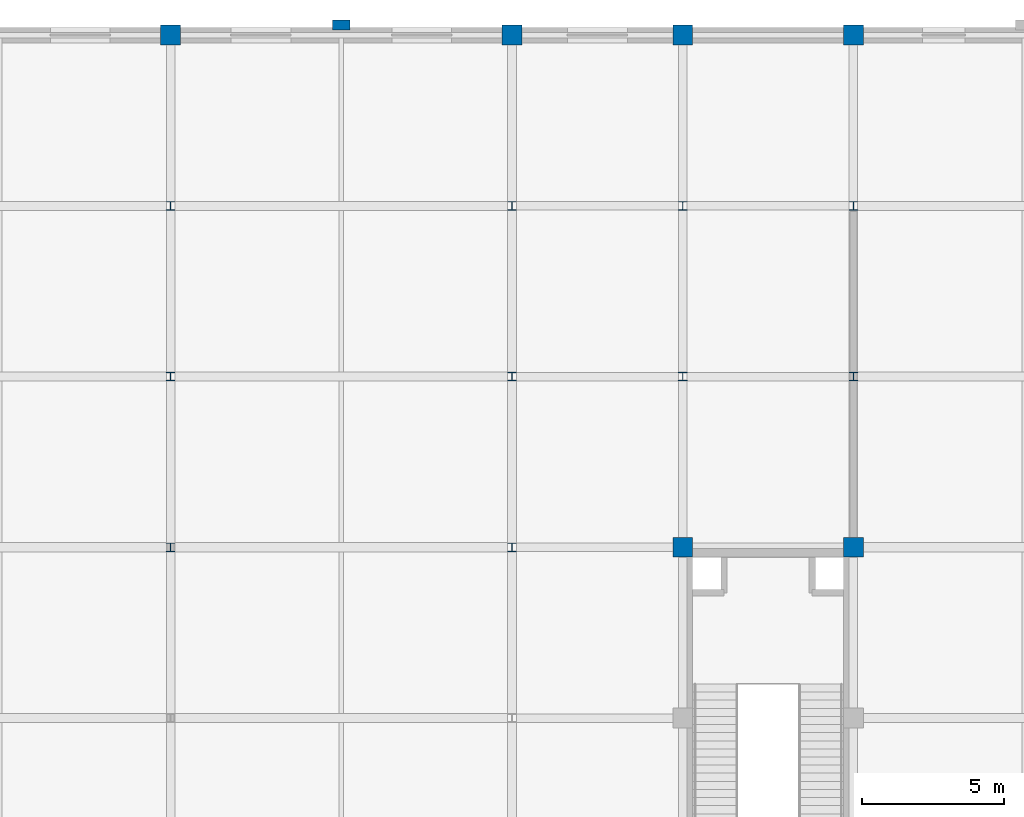
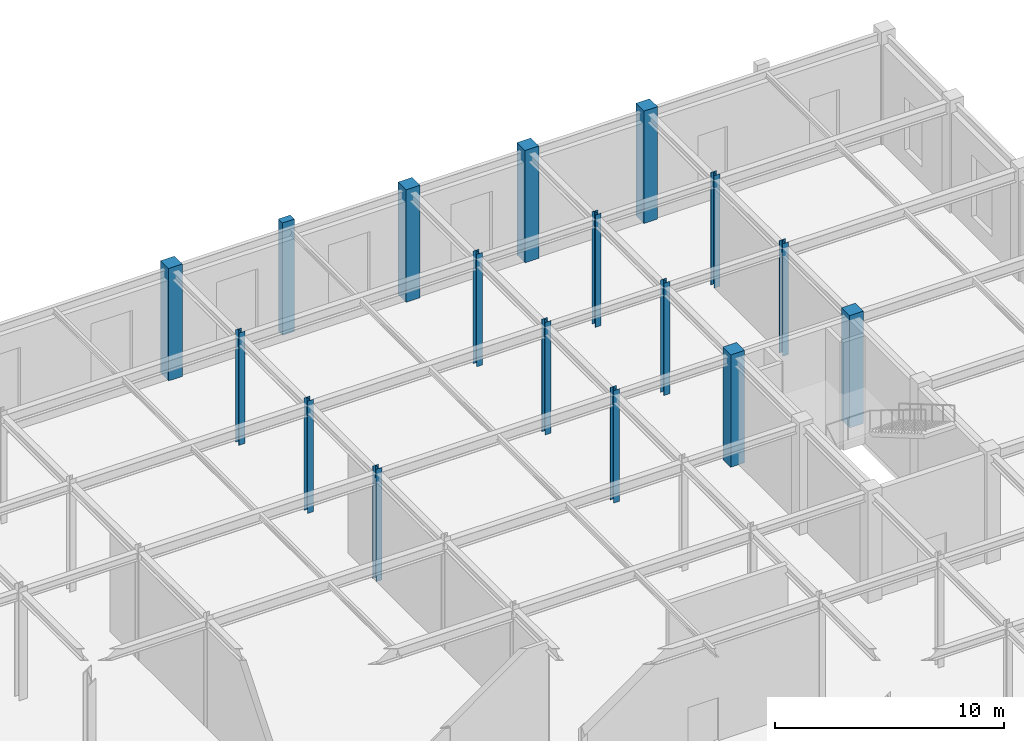
# One storey, part 26 of 108: 17 columns.
"""IFC4 building model written with IfcOpenShell, lengths in metres."""

from ifc_helpers import new_model, si_unit, direction, frame, origin, origin_2d, place, context, subcontext, project, spatial, rectangle, i_section, extrude, material, material_profile, profile_set, type_object, element, save


model = new_model("IFC4")

# Units and contexts
model_context = context("Model", 3, precision=1e-05, world=origin(), true_north=direction((0.0, 1.0)))
body_context = subcontext(model_context, "Body", "Model", "MODEL_VIEW")
ifc_project = project(units=[si_unit("LENGTHUNIT", "METRE"), si_unit("AREAUNIT", "SQUARE_METRE"), si_unit("VOLUMEUNIT", "CUBIC_METRE"), si_unit("PLANEANGLEUNIT", "RADIAN"), si_unit("MASSUNIT", "GRAM", prefix="KILO")], contexts=[model_context])

# Site, building, storey
site_placement = place(None, origin())
site = spatial("IfcSite", under=ifc_project, at=site_placement, CompositionType="ELEMENT")
building_placement = place(site_placement, origin())
building = spatial("IfcBuilding", under=site, at=building_placement, Name="Zlatovratsky Civic Hall", CompositionType="ELEMENT")
storey_placement = place(building_placement, frame((0.0, 0.0, 6.0)))
storey = spatial("IfcBuildingStorey", under=building, at=storey_placement, Name="L02", CompositionType="ELEMENT", Elevation=6.0)

# Columns
ifc_material_1 = material(Name="Concrete C35/45 (B40)", Category="concrete")
ifc_material_profile_1 = material_profile(ifc_material_1, rectangle(XDim=0.699951171875, YDim=0.699951171875, at=origin_2d()), Name="RC 700x700")
ifc_profile_set_1 = profile_set([ifc_material_profile_1], Name="Concrete C35/45 (B40)")
column_type_1 = type_object("IfcColumnType", Name="Col_CorePier_RC700", PredefinedType="COLUMN", material=ifc_profile_set_1)
for number, where, z_axis, x_axis, name in (
    (1, (150.0, 96.0, 0.0), (0.0, 0.0, 1.0), (1.0, 0.0, 0.0), "CL-1117"),
    (2, (156.0, 96.0, 0.0), (0.0, 0.0, 1.0), (1.0, 0.0, 0.0), "CL-1118"),
    (3, (132.0, 114.0, 0.0), (0.0, 0.0, 1.0), (1.0, 0.0, 0.0), "CL-1184"),
    (4, (144.0, 114.0, 0.0), (0.0, 0.0, 1.0), (1.0, 0.0, 0.0), "CL-1185"),
    (5, (150.0, 114.0, 0.0), (0.0, 0.0, 1.0), (1.0, 0.0, 0.0), "CL-1186"),
    (6, (156.0, 114.0, 0.0), (0.0, 0.0, 1.0), (1.0, 0.0, 0.0), "CL-1187"),
):
    element("IfcColumn", number, at=place(storey_placement, frame(where, z_axis=z_axis, x_axis=x_axis)), inside=storey, type_object=column_type_1, Name=name, PredefinedType="COLUMN", context=body_context, shape_type="SweptSolid", body=[
        extrude(rectangle(XDim=0.699951171875, YDim=0.699951171875, at=origin_2d()), origin(), (0.0, 0.0, 1.0), 6.0),
    ])
ifc_material_2 = material(Name="Steel S355", Category="steel")
ifc_material_profile_2 = material_profile(ifc_material_2, i_section(OverallWidth=0.300048828125, OverallDepth=0.300048828125, WebThickness=0.010009765625, FlangeThickness=0.014892578125, FilletRadius=0.01806640625, at=origin_2d()), Name="30K2")
ifc_profile_set_2 = profile_set([ifc_material_profile_2], Name="Steel S355")
column_type_2 = type_object("IfcColumnType", Name="Col_Steel_30K2", PredefinedType="COLUMN", material=ifc_profile_set_2)
for number, where, z_axis, x_axis, name in (
    (7, (132.0, 96.0, 0.0), (0.0, 0.0, 1.0), (1.0, 0.0, 0.0), "CL-1115"),
    (8, (144.0, 96.0, 0.0), (0.0, 0.0, 1.0), (1.0, 0.0, 0.0), "CL-1116"),
    (9, (132.0, 102.0, 0.0), (0.0, 0.0, 1.0), (1.0, 0.0, 0.0), "CL-1138"),
    (10, (144.0, 102.0, 0.0), (0.0, 0.0, 1.0), (1.0, 0.0, 0.0), "CL-1139"),
    (11, (150.0, 102.0, 0.0), (0.0, 0.0, 1.0), (1.0, 0.0, 0.0), "CL-1140"),
    (12, (156.0, 102.0, 0.0), (0.0, 0.0, 1.0), (1.0, 0.0, 0.0), "CL-1141"),
    (13, (132.0, 108.0, 0.0), (0.0, 0.0, 1.0), (1.0, 0.0, 0.0), "CL-1161"),
    (14, (144.0, 108.0, 0.0), (0.0, 0.0, 1.0), (1.0, 0.0, 0.0), "CL-1162"),
    (15, (150.0, 108.0, 0.0), (0.0, 0.0, 1.0), (1.0, 0.0, 0.0), "CL-1163"),
    (16, (156.0, 108.0, 0.0), (0.0, 0.0, 1.0), (1.0, 0.0, 0.0), "CL-1164"),
):
    element("IfcColumn", number, at=place(storey_placement, frame(where, z_axis=z_axis, x_axis=x_axis)), inside=storey, type_object=column_type_2, Name=name, PredefinedType="COLUMN", context=body_context, shape_type="SweptSolid", body=[
        extrude(i_section(OverallWidth=0.300048828125, OverallDepth=0.300048828125, WebThickness=0.010009765625, FlangeThickness=0.014892578125, FilletRadius=0.01806640625, at=origin_2d()), origin(), (0.0, 0.0, 1.0), 6.0),
    ])
ifc_material_profile_3 = material_profile(ifc_material_1, rectangle(XDim=0.60009765625, YDim=0.360107421875, at=origin_2d()), Name="RC 600x360")
ifc_profile_set_3 = profile_set([ifc_material_profile_3], Name="Concrete C35/45 (B40)")
column_type_3 = type_object("IfcColumnType", Name="Pilaster_Classical_RC600x360", PredefinedType="PILASTER", material=ifc_profile_set_3)
column_placement = place(storey_placement, frame((138.0, 114.35009765625, 0.0), z_axis=(0.0, 0.0, 1.0), x_axis=(1.0, 0.0, 0.0)))
element("IfcColumn", 17, at=column_placement, inside=storey, type_object=column_type_3, Name="CL-2737", PredefinedType="PILASTER", context=body_context, shape_type="SweptSolid", body=[
    extrude(rectangle(XDim=0.60009765625, YDim=0.360107421875, at=origin_2d()), origin(), (0.0, 0.0, 1.0), 6.0),
])

save(model, "model.ifc")
